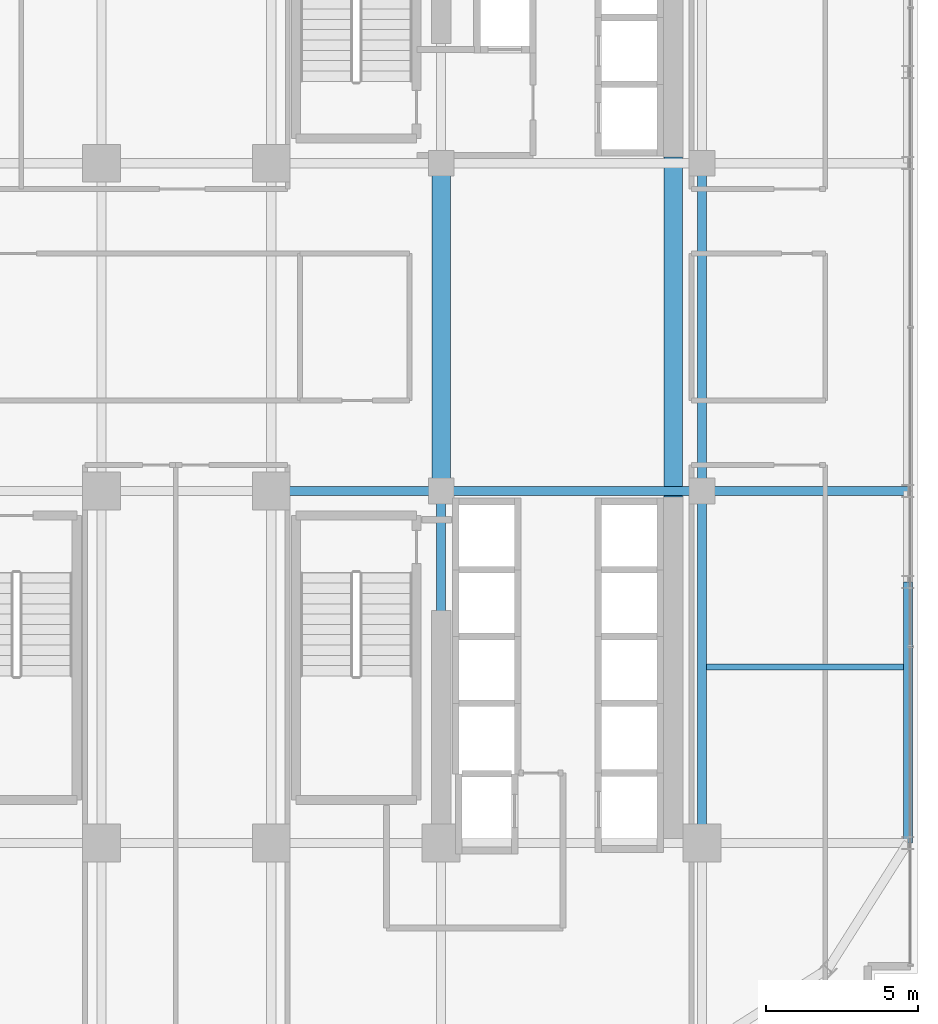
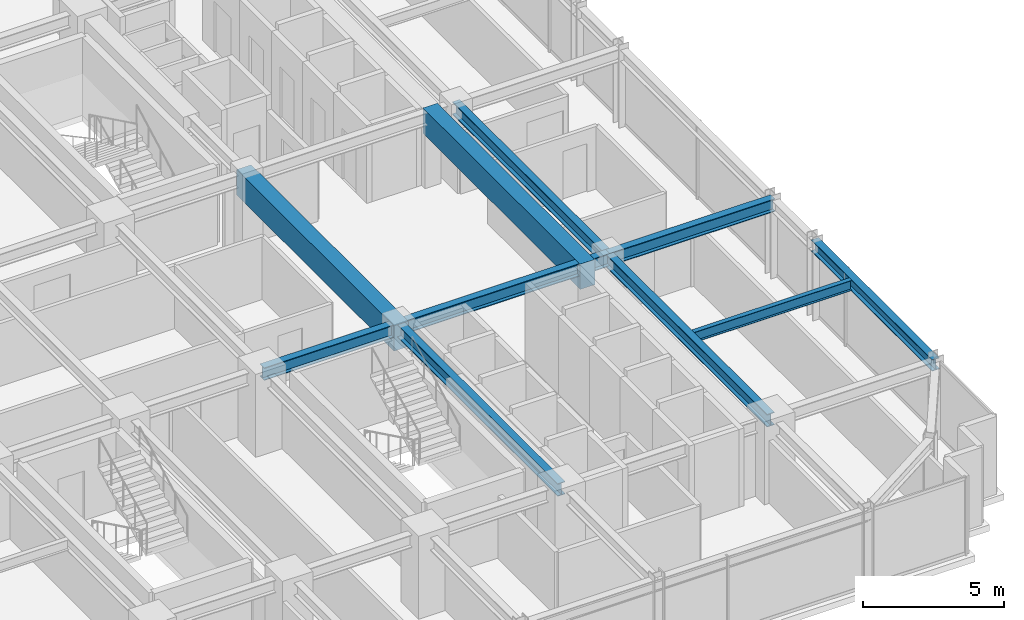
# One storey, part 14 of 32: 10 beams.
"""IFC4 building model written with IfcOpenShell, lengths in metres."""

from ifc_helpers import new_model, si_unit, direction, frame, origin, origin_2d, place, context, subcontext, project, spatial, rectangle, i_section, extrude, source, transform, mapped, material, material_profile, profile_set, type_object, element, save


model = new_model("IFC4")

# Units and contexts
model_context = context("Model", 3, precision=1e-05, world=origin(), true_north=direction((0.0, 1.0)))
body_context = subcontext(model_context, "Body", "Model", "MODEL_VIEW")
ifc_project = project(units=[si_unit("LENGTHUNIT", "METRE"), si_unit("AREAUNIT", "SQUARE_METRE"), si_unit("VOLUMEUNIT", "CUBIC_METRE"), si_unit("PLANEANGLEUNIT", "RADIAN"), si_unit("MASSUNIT", "GRAM", prefix="KILO")], contexts=[model_context])

# Site, building, storey
site_placement = place(None, origin())
site = spatial("IfcSite", under=ifc_project, at=site_placement, CompositionType="ELEMENT")
building_placement = place(site_placement, origin())
building = spatial("IfcBuilding", under=site, at=building_placement, Name="Nahalor Promenade Grand Hotel", CompositionType="ELEMENT")
storey_placement = place(building_placement, frame((0.0, 0.0, 110.199951171875)))
storey = spatial("IfcBuildingStorey", under=building, at=storey_placement, Name="L27", CompositionType="ELEMENT", Elevation=110.199951171875)

# Beams
ifc_material_1 = material(Name="Concrete B-60 (C50/60)", Category="concrete")
ifc_material_profile_1 = material_profile(ifc_material_1, rectangle(XDim=0.6, YDim=1.1, at=origin_2d()), Name="RC 600x1100")
ifc_profile_set_1 = profile_set([ifc_material_profile_1], Name="Concrete B-60 (C50/60)")
beam_type_1 = type_object("IfcBeamType", Name="Beam-Lintel-RC1100", PredefinedType="LINTEL", material=ifc_profile_set_1)
shared_shape_1 = source(origin(), body_context, "Body", "SweptSolid", [
    extrude(rectangle(XDim=0.6, YDim=1.1, at=origin_2d()), origin(), (0.0, 0.0, 1.0), 11.2001953125),
])
for number, where, z_axis, x_axis, name in (
    (1, (8.39990234375, -5.60009765625, 2.830078125), (0.0, 1.0, 0.0), (-1.0, 0.0, 0.0), "BM-L27-LINT-W"),
    (2, (16.050048828125, -5.60009765625, 2.830078125), (0.0, 1.0, 0.0), (-1.0, 0.0, 0.0), "BM-L27-LINT-E"),
):
    element("IfcBeam", number, at=place(storey_placement, frame(where, z_axis=z_axis, x_axis=x_axis)), inside=storey, type_object=beam_type_1, Name=name, PredefinedType="LINTEL", context=body_context, shape_type="MappedRepresentation", body=[
        mapped(shared_shape_1, transform((0.0, 0.0, 0.0), scale=1.0)),
    ])
ifc_material_2 = material(Name="Steel S355JR", Category="steel")
ifc_material_profile_2 = material_profile(ifc_material_2, i_section(OverallWidth=0.3, OverallDepth=0.5, WebThickness=0.0145, FlangeThickness=0.028, at=origin_2d()), Name="HEB 500")
ifc_profile_set_2 = profile_set([ifc_material_profile_2], Name="Steel S355JR")
beam_type_2 = type_object("IfcBeamType", Name="Beam-Spandrel-HEB500", PredefinedType="SPANDREL", material=ifc_profile_set_2)
shared_shape_2 = source(origin(), body_context, "Body", "SweptSolid", [
    extrude(i_section(OverallWidth=0.3, OverallDepth=0.5, WebThickness=0.0145, FlangeThickness=0.028, at=origin_2d()), origin(), (0.0, 0.0, 1.0), 8.60009765625),
])
beam_1_placement = place(storey_placement, frame((23.780029296875, -17.0, 3.130126953125), z_axis=(0.0, 1.0, 0.0), x_axis=(-1.0, 0.0, 0.0)))
element("IfcBeam", 3, at=beam_1_placement, inside=storey, type_object=beam_type_2, Name="BM-L27-SP-E-0", PredefinedType="SPANDREL", context=body_context, shape_type="MappedRepresentation", body=[
    mapped(shared_shape_2, transform((0.0, 0.0, 0.0), scale=1.0)),
])
ifc_material_profile_3 = material_profile(ifc_material_2, i_section(OverallWidth=0.3, OverallDepth=0.55, WebThickness=0.015, FlangeThickness=0.029, at=origin_2d()), Name="HEB 550")
ifc_profile_set_3 = profile_set([ifc_material_profile_3], Name="Steel S355JR")
beam_type_3 = type_object("IfcBeamType", Name="Beam-Girder-HEB550", PredefinedType="BEAM", material=ifc_profile_set_3)
shared_shape_3 = source(origin(), body_context, "Body", "SweptSolid", [
    extrude(i_section(OverallWidth=0.3, OverallDepth=0.55, WebThickness=0.015, FlangeThickness=0.029, at=origin_2d()), origin(), (0.0, 0.0, 1.0), 6.780029296875),
])
beam_2_placement = place(storey_placement, frame((17.0, -5.39990234375, 3.10498046875), z_axis=(1.0, 0.0, 0.0), x_axis=(0.0, 1.0, 0.0)))
element("IfcBeam", 4, at=beam_2_placement, inside=storey, type_object=beam_type_3, Name="BM-L27-GX-1-6", PredefinedType="BEAM", context=body_context, shape_type="MappedRepresentation", body=[
    mapped(shared_shape_3, transform((0.0, 0.0, 0.0), scale=1.0)),
])
shared_shape_4 = source(origin(), body_context, "Body", "SweptSolid", [
    extrude(i_section(OverallWidth=0.3, OverallDepth=0.55, WebThickness=0.015, FlangeThickness=0.029, at=origin_2d()), origin(), (0.0, 0.0, 1.0), 8.60009765625),
])
beam_3_placement = place(storey_placement, frame((8.39990234375, -5.39990234375, 3.10498046875), z_axis=(1.0, 0.0, 0.0), x_axis=(0.0, 1.0, 0.0)))
element("IfcBeam", 5, at=beam_3_placement, inside=storey, type_object=beam_type_3, Name="BM-L27-GX-1-5", PredefinedType="BEAM", context=body_context, shape_type="MappedRepresentation", body=[
    mapped(shared_shape_4, transform((0.0, 0.0, 0.0), scale=1.0)),
])
shared_shape_5 = source(origin(), body_context, "Body", "SweptSolid", [
    extrude(i_section(OverallWidth=0.3, OverallDepth=0.55, WebThickness=0.015, FlangeThickness=0.029, at=origin_2d()), origin(), (0.0, 0.0, 1.0), 5.599853515625),
])
beam_4_placement = place(storey_placement, frame((2.800048828125, -5.39990234375, 3.10498046875), z_axis=(1.0, 0.0, 0.0), x_axis=(0.0, 1.0, 0.0)))
element("IfcBeam", 6, at=beam_4_placement, inside=storey, type_object=beam_type_3, Name="BM-L27-GX-1-4", PredefinedType="BEAM", context=body_context, shape_type="MappedRepresentation", body=[
    mapped(shared_shape_5, transform((0.0, 0.0, 0.0), scale=1.0)),
])
shared_shape_6 = source(origin(), body_context, "Body", "SweptSolid", [
    extrude(i_section(OverallWidth=0.3, OverallDepth=0.55, WebThickness=0.015, FlangeThickness=0.029, at=origin_2d()), origin(), (0.0, 0.0, 1.0), 11.60009765625),
])
for number, where, z_axis, x_axis, name in (
    (7, (8.39990234375, -17.0, 3.10498046875), (0.0, 1.0, 0.0), (-1.0, 0.0, 0.0), "BM-L27-GY-4-1"),
    (8, (17.0, -17.0, 3.10498046875), (0.0, 1.0, 0.0), (-1.0, 0.0, 0.0), "BM-L27-GY-5-1"),
):
    element("IfcBeam", number, at=place(storey_placement, frame(where, z_axis=z_axis, x_axis=x_axis)), inside=storey, type_object=beam_type_3, Name=name, PredefinedType="BEAM", context=body_context, shape_type="MappedRepresentation", body=[
        mapped(shared_shape_6, transform((0.0, 0.0, 0.0), scale=1.0)),
    ])
shared_shape_7 = source(origin(), body_context, "Body", "SweptSolid", [
    extrude(i_section(OverallWidth=0.3, OverallDepth=0.55, WebThickness=0.015, FlangeThickness=0.029, at=origin_2d()), origin(), (0.0, 0.0, 1.0), 10.7998046875),
])
beam_5_placement = place(storey_placement, frame((17.0, -5.39990234375, 3.10498046875), z_axis=(0.0, 1.0, 0.0), x_axis=(-1.0, 0.0, 0.0)))
element("IfcBeam", 9, at=beam_5_placement, inside=storey, type_object=beam_type_3, Name="BM-L27-GY-5-2", PredefinedType="BEAM", context=body_context, shape_type="MappedRepresentation", body=[
    mapped(shared_shape_7, transform((0.0, 0.0, 0.0), scale=1.0)),
])
ifc_material_profile_4 = material_profile(ifc_material_2, i_section(OverallWidth=0.19, OverallDepth=0.45, WebThickness=0.0094, FlangeThickness=0.0146, at=origin_2d()), Name="IPE 450")
ifc_profile_set_4 = profile_set([ifc_material_profile_4], Name="Steel S355JR")
beam_type_4 = type_object("IfcBeamType", Name="Beam-Joist-IPE450", PredefinedType="JOIST", material=ifc_profile_set_4)
shared_shape_8 = source(origin(), body_context, "Body", "SweptSolid", [
    extrude(i_section(OverallWidth=0.19, OverallDepth=0.45, WebThickness=0.0094, FlangeThickness=0.0146, at=origin_2d()), origin(), (0.0, 0.0, 1.0), 6.47998046875),
])
beam_6_placement = place(storey_placement, frame((17.14990234375, -11.199951171875, 3.155029296875), z_axis=(1.0, 0.0, 0.0), x_axis=(0.0, 1.0, 0.0)))
element("IfcBeam", 10, at=beam_6_placement, inside=storey, type_object=beam_type_4, Name="BM-L27-JSE-0-2", PredefinedType="JOIST", context=body_context, shape_type="MappedRepresentation", body=[
    mapped(shared_shape_8, transform((0.0, 0.0, 0.0), scale=1.0)),
])

save(model, "model.ifc")
